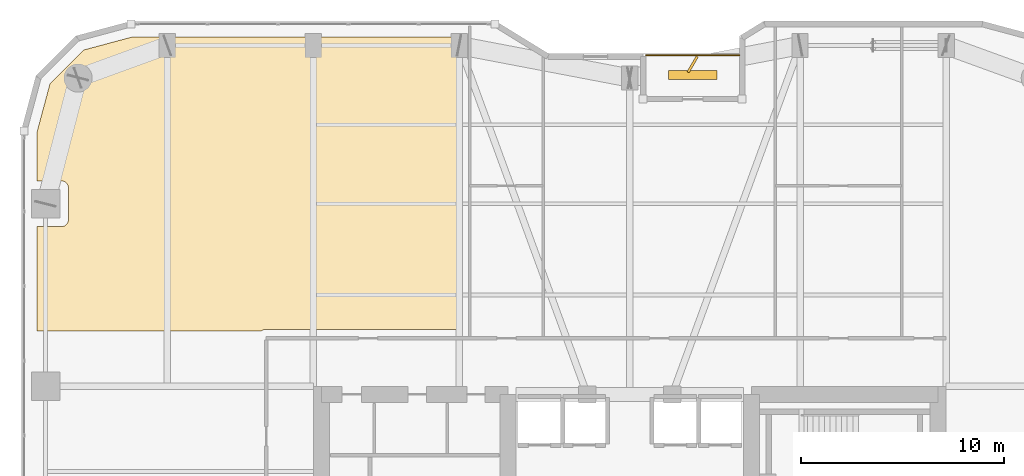
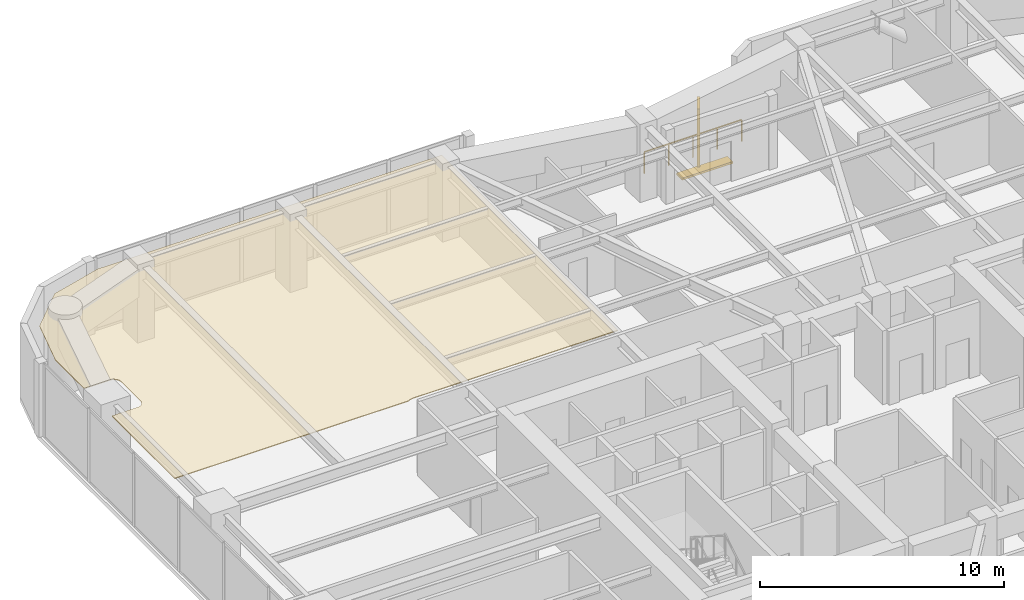
# One storey, part 30 of 30: 2 shading devices, 1 covering, 1 railing.
"""IFC4 building model written with IfcOpenShell, lengths in metres."""

from ifc_helpers import new_model, si_unit, direction, frame, origin, origin_2d, place, context, subcontext, project, spatial, polyline, rectangle, outline, extrude, material, layer, layer_set, type_object, element, save


model = new_model("IFC4")

# Units and contexts
model_context = context("Model", 3, precision=1e-05, world=origin(), true_north=direction((0.0, 1.0)))
body_context = subcontext(model_context, "Body", "Model", "MODEL_VIEW")
ifc_project = project(units=[si_unit("LENGTHUNIT", "METRE"), si_unit("AREAUNIT", "SQUARE_METRE"), si_unit("VOLUMEUNIT", "CUBIC_METRE"), si_unit("PLANEANGLEUNIT", "RADIAN"), si_unit("MASSUNIT", "GRAM", prefix="KILO")], contexts=[model_context])

# Site, building, storey
site_placement = place(None, origin())
site = spatial("IfcSite", under=ifc_project, at=site_placement, CompositionType="ELEMENT")
building_placement = place(site_placement, origin())
building = spatial("IfcBuilding", under=site, at=building_placement, Name="Kiyonajd Concourse Tower", CompositionType="ELEMENT")
storey_placement = place(building_placement, frame((0.0, 0.0, 154.5)))
storey = spatial("IfcBuildingStorey", under=building, at=storey_placement, Name="L39", CompositionType="ELEMENT", Elevation=154.5)

# Covering
ifc_material_1 = material(Name="Natural Oak Acoustic Timber Veneer", Category="wood")
ifc_layer = layer(ifc_material_1, 0.0400390625)
ifc_layer_set = layer_set([ifc_layer], Name="Natural Oak Acoustic Timber Veneer")
covering_type = type_object("IfcCoveringType", Name="CV-CLG-ACST", PredefinedType="CEILING", material=ifc_layer_set)
covering_placement = place(storey_placement, frame((0.0, 0.0, 3.5)))
element("IfcCovering", 1, at=covering_placement, inside=storey, type_object=covering_type, Name="L39-44 Room Acoustic Ceiling", PredefinedType="CEILING", context=body_context, shape_type="SweptSolid", body=[
    extrude(outline(polyline([(21.097900390625, 60.986083984375), (23.5009765625, 61.6298828125), (39.760009765625, 61.6298828125), (39.760009765625, 47.2099609375), (30.074951171875, 47.2099609375), (29.945068359375, 47.18994140625), (29.882080078125, 47.1640625), (29.826904296875, 47.1298828125), (18.77001953125, 47.1298828125), (18.77001953125, 52.27001953125), (19.97998046875, 52.27001953125), (20.048095703125, 52.277099609375), (20.14501953125, 52.31103515625), (20.201904296875, 52.34912109375), (20.2509765625, 52.39794921875), (20.2890625, 52.455078125), (20.31494140625, 52.51806640625), (20.330078125, 52.6201171875), (20.330078125, 54.179931640625), (20.31494140625, 54.281982421875), (20.2890625, 54.344970703125), (20.2509765625, 54.402099609375), (20.201904296875, 54.450927734375), (20.14501953125, 54.489013671875), (20.08203125, 54.514892578125), (20.013916015625, 54.528076171875), (18.77001953125, 54.530029296875), (18.77001953125, 56.89892578125), (19.4140625, 59.302001953125), (21.097900390625, 60.986083984375)])), origin(), (0.0, 0.0, 1.0), 0.0400390625),
])

# Railing
ifc_material_2 = material(Name="Thermally Broken Anodised Aluminium", Category="aluminium")
railing_type = type_object("IfcRailingType", Name="RL-GRD-LOG", PredefinedType="GUARDRAIL", material=ifc_material_2)
railing_placement = place(storey_placement, frame((53.39990234375, 60.719970703125, 0.0)))
element("IfcRailing", 2, at=railing_placement, inside=storey, type_object=railing_type, Name="L39 Engawa Loggia Perimeter Guard LOG-N", PredefinedType="GUARDRAIL", context=body_context, shape_type="SweptSolid", body=[
    extrude(rectangle(XDim=0.048095703125, YDim=0.048095703125, at=origin_2d()), frame((0.0, 0.0, 1.076171875), z_axis=(-1.0, 0.0, 0.0), x_axis=(0.0, -1.0, 0.0)), (0.0, 0.0, 1.0), 4.599853515625),
    extrude(rectangle(XDim=0.0419921875, YDim=0.0419921875, at=origin_2d()), origin(), (0.0, 0.0, 1.0), 1.052001953125),
    extrude(rectangle(XDim=0.0419921875, YDim=0.0419921875, at=origin_2d()), frame((-1.14990234375, 0.0, 0.0)), (0.0, 0.0, 1.0), 1.052001953125),
    extrude(rectangle(XDim=0.0419921875, YDim=0.0419921875, at=origin_2d()), frame((-2.2998046875, 0.0, 0.0)), (0.0, 0.0, 1.0), 1.052001953125),
    extrude(rectangle(XDim=0.0419921875, YDim=0.0419921875, at=origin_2d()), frame((-3.449951171875, 0.0, 0.0)), (0.0, 0.0, 1.0), 1.052001953125),
    extrude(rectangle(XDim=0.0419921875, YDim=0.0419921875, at=origin_2d()), frame((-4.599853515625, 0.0, 0.0)), (0.0, 0.0, 1.0), 1.052001953125),
])

# Shading devices
ifc_material_3 = material(Name="Precast concrete C50/60", Category="concrete")
shading_device_type_1 = type_object("IfcShadingDeviceType", Name="SH-FIN-900", PredefinedType="USERDEFINED", material=ifc_material_3)
shading_device_1_placement = place(storey_placement, frame((51.10009765625, 60.27001953125, 0.0), z_axis=(0.0, 0.0, 1.0), x_axis=(0.5, 0.866025403784, 0.0)))
element("IfcShadingDevice", 3, at=shading_device_1_placement, inside=storey, type_object=shading_device_type_1, Name="L39 Angled Koshi Solar Fin LOG-N", ObjectType="FIN", PredefinedType="USERDEFINED", context=body_context, shape_type="SweptSolid", body=[
    extrude(rectangle(XDim=0.89990234375, YDim=0.1201171875, at=origin_2d()), origin(), (0.0, 0.0, 1.0), 3.0),
])
shading_device_type_2 = type_object("IfcShadingDeviceType", Name="SH-LVR-600", PredefinedType="JALOUSIE", material=ifc_material_2)
shading_device_2_placement = place(storey_placement, frame((51.10009765625, 59.75, 0.0), z_axis=(0.0, 0.0, 1.0), x_axis=(1.0, 0.0, 0.0)))
element("IfcShadingDevice", 4, at=shading_device_2_placement, inside=storey, type_object=shading_device_type_2, Name="L39 Loggia Threshold Louver LOG-N", PredefinedType="JALOUSIE", context=body_context, shape_type="SweptSolid", body=[
    extrude(rectangle(XDim=2.39990234375, YDim=0.449951171875, at=origin_2d()), origin(), (0.0, 0.0, 1.0), 0.10009765625),
])

save(model, "model.ifc")
